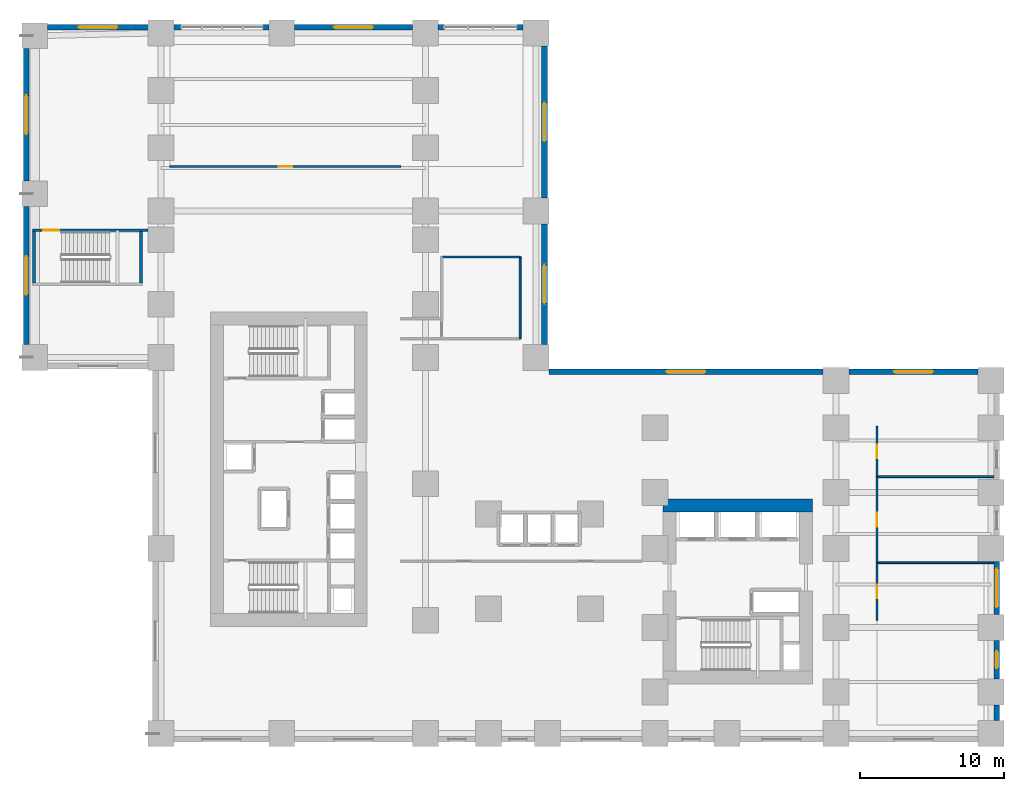
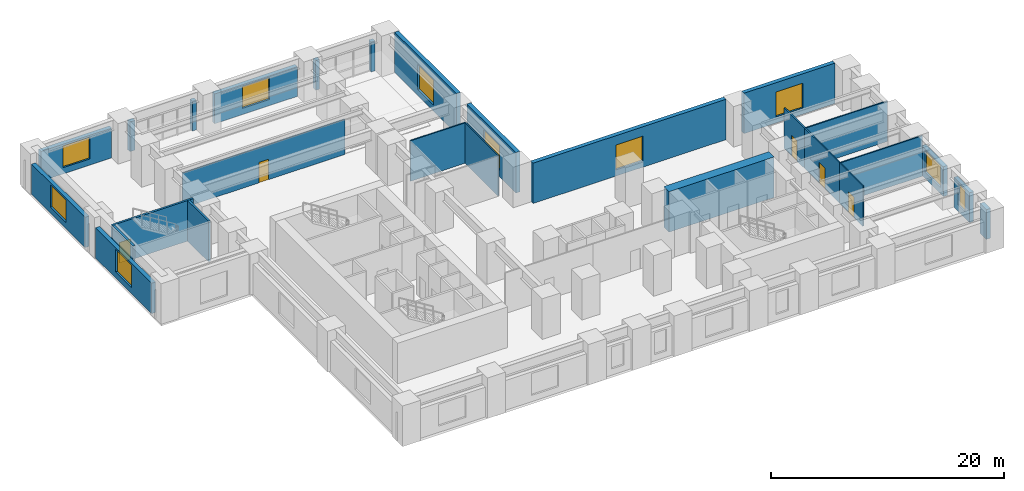
# One storey, part 7 of 11: 27 walls, 10 windows, 5 doors, 15 openings.
"""IFC4 building model written with IfcOpenShell, lengths in metres."""

from ifc_helpers import new_model, si_unit, direction, frame, frame_2d, origin, place, context, subcontext, project, spatial, rectangle, extrude, source, transform, mapped, material, layer, layer_set, type_object, element, fill, save


model = new_model("IFC4")

# Units and contexts
model_context = context("Model", 3, precision=1e-05, world=origin(), true_north=direction((0.0, 1.0)))
body_context = subcontext(model_context, "Body", "Model", "MODEL_VIEW")
ifc_project = project(units=[si_unit("LENGTHUNIT", "METRE"), si_unit("AREAUNIT", "SQUARE_METRE"), si_unit("VOLUMEUNIT", "CUBIC_METRE"), si_unit("PLANEANGLEUNIT", "RADIAN"), si_unit("MASSUNIT", "GRAM", prefix="KILO")], contexts=[model_context])

# Site, building, storey
site_placement = place(None, origin())
site = spatial("IfcSite", under=ifc_project, at=site_placement, CompositionType="ELEMENT")
building_placement = place(site_placement, origin())
building = spatial("IfcBuilding", under=site, at=building_placement, Name="Kharzan Plaza Tower", CompositionType="ELEMENT")
storey_placement = place(building_placement, frame((0.0, 0.0, 9.0)))
storey = spatial("IfcBuildingStorey", under=building, at=storey_placement, Name="L02", CompositionType="ELEMENT", Elevation=9.0)

# Wall, opening, door
ifc_material_1 = material(Name="Fire-Rated Gypsum Board Partition", Category="gypsum")
ifc_layer_1 = layer(ifc_material_1, 0.125)
ifc_layer_set_1 = layer_set([ifc_layer_1], Name="Fire-Rated Gypsum Board Partition")
wall_type_1 = type_object("IfcWallType", Name="WL-INT-PART-125", PredefinedType="PARTITIONING", material=ifc_layer_set_1)
wall_1_placement = place(storey_placement, frame((1.199951171875, 40.10009765625, 0.0), z_axis=(0.0, 0.0, 1.0), x_axis=(1.0, 0.0, 0.0)))
wall_1 = element("IfcWall", 1, at=wall_1_placement, inside=storey, type_object=wall_type_1, Name="L02 Interior Partition L02-W1", PredefinedType="PARTITIONING", context=body_context, shape_type="SweptSolid", body=[
    extrude(rectangle(XDim=16.10009765625, YDim=0.125, at=frame_2d((8.050048828125, 0.0))), origin(), (0.0, 0.0, 1.0), 3.68603515625),
])
opening_1_placement = place(wall_1_placement, frame((7.574951171875, 0.0, 0.0)))
opening_1 = element("IfcOpeningElement", 2, at=opening_1_placement, cuts=wall_1, Name="Opening OD1", PredefinedType="OPENING", context=body_context, shape_type="SweptSolid", body=[
    extrude(rectangle(XDim=0.949951171875, YDim=2.14990234375, at=frame_2d((0.47509765625, 1.074951171875))), frame((0.0, 0.072509765625, 0.0), z_axis=(0.0, -1.0, 0.0), x_axis=(1.0, 0.0, 0.0)), (0.0, 0.0, 1.0), 0.14501953125),
])
ifc_material_2 = material(Name="Acoustic Solid-Core Stained Oak", Category="timber")
door_type_1 = type_object("IfcDoorType", Name="DR-OFF-SINGLE", OperationType="NOTDEFINED", PredefinedType="DOOR", material=ifc_material_2)
shared_shape_1 = source(origin(), body_context, "Body", "SweptSolid", [
    extrude(rectangle(XDim=0.949951171875, YDim=2.14990234375, at=frame_2d((0.47509765625, 1.074951171875))), frame((0.0, 0.02490234375, 0.0), z_axis=(0.0, -1.0, 0.0), x_axis=(1.0, 0.0, 0.0)), (0.0, 0.0, 1.0), 0.050048828125),
])
door_1_placement = place(opening_1_placement, origin())
door_1 = element("IfcDoor", 3, at=door_1_placement, inside=storey, type_object=door_type_1, Name="L02 Auditorium Entrance Door", OperationType="SINGLE_SWING_RIGHT", OverallHeight=2.14990234375, OverallWidth=0.949951171875, PredefinedType="DOOR", context=body_context, shape_type="MappedRepresentation", body=[
    mapped(shared_shape_1, transform((0.0, 0.0, 0.0), x_axis=(1.0, 0.0, 0.0), y_axis=(0.0, 1.0, 0.0), z_axis=(0.0, 0.0, 1.0))),
])
fill(opening_1, door_1)

wall_2_placement = place(storey_placement, frame((50.449951171875, 8.5, 0.0), z_axis=(0.0, 0.0, 1.0), x_axis=(0.0, 1.0, 0.0)))
wall_2 = element("IfcWall", 4, at=wall_2_placement, inside=storey, type_object=wall_type_1, Name="L02 Interior Partition L02-W2A", PredefinedType="PARTITIONING", context=body_context, shape_type="SweptSolid", body=[
    extrude(rectangle(XDim=4.0, YDim=0.125, at=frame_2d((2.0, 0.0))), origin(), (0.0, 0.0, 1.0), 4.235107421875),
])
opening_2_placement = place(wall_2_placement, frame((1.52490234375, 0.0, 0.0)))
opening_2 = element("IfcOpeningElement", 5, at=opening_2_placement, cuts=wall_2, Name="Opening OD1", PredefinedType="OPENING", context=body_context, shape_type="SweptSolid", body=[
    extrude(rectangle(XDim=0.949951171875, YDim=2.14990234375, at=frame_2d((0.47509765625, 1.074951171875))), frame((0.0, 0.072509765625, 0.0), z_axis=(0.0, -1.0, 0.0), x_axis=(1.0, 0.0, 0.0)), (0.0, 0.0, 1.0), 0.14501953125),
])
door_2_placement = place(opening_2_placement, origin())
door_2 = element("IfcDoor", 6, at=door_2_placement, inside=storey, type_object=door_type_1, Name="L02 Briefing Room Door", OperationType="SINGLE_SWING_LEFT", OverallHeight=2.14990234375, OverallWidth=0.949951171875, PredefinedType="DOOR", context=body_context, shape_type="MappedRepresentation", body=[
    mapped(shared_shape_1, transform((0.0, 0.0, 0.0), x_axis=(1.0, 0.0, 0.0), y_axis=(0.0, 1.0, 0.0), z_axis=(0.0, 0.0, 1.0))),
])
fill(opening_2, door_2)

wall_3_placement = place(storey_placement, frame((50.449951171875, 12.5, 0.0), z_axis=(0.0, 0.0, 1.0), x_axis=(0.0, 1.0, 0.0)))
wall_3 = element("IfcWall", 7, at=wall_3_placement, inside=storey, type_object=wall_type_1, Name="L02 Interior Partition L02-W2B", PredefinedType="PARTITIONING", context=body_context, shape_type="SweptSolid", body=[
    extrude(rectangle(XDim=6.0, YDim=0.125, at=frame_2d((3.0, 0.0))), origin(), (0.0, 0.0, 1.0), 4.235107421875),
])
opening_3_placement = place(wall_3_placement, frame((2.52490234375, 0.0, 0.0)))
opening_3 = element("IfcOpeningElement", 8, at=opening_3_placement, cuts=wall_3, Name="Opening OD1", PredefinedType="OPENING", context=body_context, shape_type="SweptSolid", body=[
    extrude(rectangle(XDim=0.949951171875, YDim=2.14990234375, at=frame_2d((0.47509765625, 1.074951171875))), frame((0.0, 0.072509765625, 0.0), z_axis=(0.0, -1.0, 0.0), x_axis=(1.0, 0.0, 0.0)), (0.0, 0.0, 1.0), 0.14501953125),
])
door_3_placement = place(opening_3_placement, origin())
door_3 = element("IfcDoor", 9, at=door_3_placement, inside=storey, type_object=door_type_1, Name="L02 Press Room Door", OperationType="SINGLE_SWING_RIGHT", OverallHeight=2.14990234375, OverallWidth=0.949951171875, PredefinedType="DOOR", context=body_context, shape_type="MappedRepresentation", body=[
    mapped(shared_shape_1, transform((0.0, 0.0, 0.0), x_axis=(1.0, 0.0, 0.0), y_axis=(0.0, 1.0, 0.0), z_axis=(0.0, 0.0, 1.0))),
])
fill(opening_3, door_3)

wall_4_placement = place(storey_placement, frame((50.449951171875, 18.5, 0.0), z_axis=(0.0, 0.0, 1.0), x_axis=(0.0, 1.0, 0.0)))
wall_4 = element("IfcWall", 10, at=wall_4_placement, inside=storey, type_object=wall_type_1, Name="L02 Interior Partition L02-W2C", PredefinedType="PARTITIONING", context=body_context, shape_type="SweptSolid", body=[
    extrude(rectangle(XDim=3.5, YDim=0.125, at=frame_2d((1.75, 0.0))), origin(), (0.0, 0.0, 1.0), 4.235107421875),
])
opening_4_placement = place(wall_4_placement, frame((1.27490234375, 0.0, 0.0)))
opening_4 = element("IfcOpeningElement", 11, at=opening_4_placement, cuts=wall_4, Name="Opening OD1", PredefinedType="OPENING", context=body_context, shape_type="SweptSolid", body=[
    extrude(rectangle(XDim=0.949951171875, YDim=2.14990234375, at=frame_2d((0.47509765625, 1.074951171875))), frame((0.0, 0.072509765625, 0.0), z_axis=(0.0, -1.0, 0.0), x_axis=(1.0, 0.0, 0.0)), (0.0, 0.0, 1.0), 0.14501953125),
])
door_4_placement = place(opening_4_placement, origin())
door_4 = element("IfcDoor", 12, at=door_4_placement, inside=storey, type_object=door_type_1, Name="L02 Control Room Door", OperationType="SINGLE_SWING_LEFT", OverallHeight=2.14990234375, OverallWidth=0.949951171875, PredefinedType="DOOR", context=body_context, shape_type="MappedRepresentation", body=[
    mapped(shared_shape_1, transform((0.0, 0.0, 0.0), x_axis=(1.0, 0.0, 0.0), y_axis=(0.0, 1.0, 0.0), z_axis=(0.0, 0.0, 1.0))),
])
fill(opening_4, door_4)

# Wall, opening, window
ifc_material_3 = material(Name="Concrete C40/50", Category="concrete")
ifc_layer_2 = layer(ifc_material_3, 0.39990234375)
ifc_layer_set_2 = layer_set([ifc_layer_2], Name="Concrete C40/50")
wall_type_2 = type_object("IfcWallType", Name="WL-POD-MAS-400", PredefinedType="SOLIDWALL", material=ifc_layer_set_2)
wall_5_placement = place(storey_placement, frame((57.501953125, 25.800048828125, 0.0), z_axis=(0.0, 0.0, 1.0), x_axis=(-1.0, 0.0, 0.0)))
wall_5 = element("IfcWall", 13, at=wall_5_placement, inside=storey, type_object=wall_type_2, Name="L02 Masonry-Frame Exterior Wall 01", PredefinedType="SOLIDWALL", context=body_context, shape_type="SweptSolid", body=[
    extrude(rectangle(XDim=9.00390625, YDim=0.39990234375, at=frame_2d((4.501953125, 0.0))), origin(), (0.0, 0.0, 1.0), 4.235107421875),
])
opening_5_placement = place(wall_5_placement, frame((3.152099609375, 0.0, 0.64990234375)))
opening_5 = element("IfcOpeningElement", 14, at=opening_5_placement, cuts=wall_5, Name="Opening W4", PredefinedType="OPENING", context=body_context, shape_type="SweptSolid", body=[
    extrude(rectangle(XDim=2.699951171875, YDim=2.60009765625, at=frame_2d((1.35009765625, 1.300048828125))), frame((0.0, 0.2099609375, 0.0), z_axis=(0.0, -1.0, 0.0), x_axis=(1.0, 0.0, 0.0)), (0.0, 0.0, 1.0), 0.419921875),
])
ifc_material_4 = material(Name="Low-E Double Glazing", Category="glass")
window_type_1 = type_object("IfcWindowType", Name="WN-POD-2700x2600", PartitioningType="SINGLE_PANEL", PredefinedType="WINDOW", material=ifc_material_4)
shared_shape_2 = source(origin(), body_context, "Body", "SweptSolid", [
    extrude(rectangle(XDim=2.699951171875, YDim=2.60009765625, at=frame_2d((1.35009765625, 1.300048828125))), frame((0.0, 0.030029296875, 0.0), z_axis=(0.0, -1.0, 0.0), x_axis=(1.0, 0.0, 0.0)), (0.0, 0.0, 1.0), 0.06005859375),
])
window_1_placement = place(opening_5_placement, origin())
window_1 = element("IfcWindow", 15, at=window_1_placement, inside=storey, type_object=window_type_1, Name="L02 Recessed Solar-Control Window 01-1", OverallHeight=2.60009765625, OverallWidth=2.699951171875, PartitioningType="SINGLE_PANEL", PredefinedType="WINDOW", context=body_context, shape_type="MappedRepresentation", body=[
    mapped(shared_shape_2, transform((0.0, 0.0, 0.0), x_axis=(1.0, 0.0, 0.0), y_axis=(0.0, 1.0, 0.0), z_axis=(0.0, 0.0, 1.0))),
])
fill(opening_5, window_1)

wall_6_placement = place(storey_placement, frame((46.701904296875, 25.800048828125, 0.0), z_axis=(0.0, 0.0, 1.0), x_axis=(-1.0, 0.0, 0.0)))
wall_6 = element("IfcWall", 16, at=wall_6_placement, inside=storey, type_object=wall_type_2, Name="L02 Masonry-Frame Exterior Wall 02", PredefinedType="SOLIDWALL", context=body_context, shape_type="SweptSolid", body=[
    extrude(rectangle(XDim=19.10400390625, YDim=0.39990234375, at=frame_2d((9.552001953125, 0.0))), origin(), (0.0, 0.0, 1.0), 4.235107421875),
])
opening_6_placement = place(wall_6_placement, frame((8.201904296875, 0.0, 0.64990234375)))
opening_6 = element("IfcOpeningElement", 17, at=opening_6_placement, cuts=wall_6, Name="Opening W4", PredefinedType="OPENING", context=body_context, shape_type="SweptSolid", body=[
    extrude(rectangle(XDim=2.699951171875, YDim=2.60009765625, at=frame_2d((1.35009765625, 1.300048828125))), frame((0.0, 0.2099609375, 0.0), z_axis=(0.0, -1.0, 0.0), x_axis=(1.0, 0.0, 0.0)), (0.0, 0.0, 1.0), 0.419921875),
])
window_2_placement = place(opening_6_placement, origin())
window_2 = element("IfcWindow", 18, at=window_2_placement, inside=storey, type_object=window_type_1, Name="L02 Recessed Solar-Control Window 02-1", OverallHeight=2.60009765625, OverallWidth=2.699951171875, PartitioningType="SINGLE_PANEL", PredefinedType="WINDOW", context=body_context, shape_type="MappedRepresentation", body=[
    mapped(shared_shape_2, transform((0.0, 0.0, 0.0), x_axis=(1.0, 0.0, 0.0), y_axis=(0.0, 1.0, 0.0), z_axis=(0.0, 0.0, 1.0))),
])
fill(opening_6, window_2)

wall_7_placement = place(storey_placement, frame((27.300048828125, 27.697998046875, 0.0), z_axis=(0.0, 0.0, 1.0), x_axis=(0.0, 1.0, 0.0)))
wall_7 = element("IfcWall", 19, at=wall_7_placement, inside=storey, type_object=wall_type_2, Name="L02 Masonry-Frame Exterior Wall 03", PredefinedType="SOLIDWALL", context=body_context, shape_type="SweptSolid", body=[
    extrude(rectangle(XDim=8.404052734375, YDim=0.39990234375, at=frame_2d((4.2021484375, 0.0))), origin(), (0.0, 0.0, 1.0), 4.235107421875),
])
opening_7_placement = place(wall_7_placement, frame((2.85205078125, 0.0, 0.64990234375)))
opening_7 = element("IfcOpeningElement", 20, at=opening_7_placement, cuts=wall_7, Name="Opening W4", PredefinedType="OPENING", context=body_context, shape_type="SweptSolid", body=[
    extrude(rectangle(XDim=2.699951171875, YDim=2.60009765625, at=frame_2d((1.35009765625, 1.300048828125))), frame((0.0, 0.2099609375, 0.0), z_axis=(0.0, -1.0, 0.0), x_axis=(1.0, 0.0, 0.0)), (0.0, 0.0, 1.0), 0.419921875),
])
window_3_placement = place(opening_7_placement, origin())
window_3 = element("IfcWindow", 21, at=window_3_placement, inside=storey, type_object=window_type_1, Name="L02 Recessed Solar-Control Window 03-1", OverallHeight=2.60009765625, OverallWidth=2.699951171875, PartitioningType="SINGLE_PANEL", PredefinedType="WINDOW", context=body_context, shape_type="MappedRepresentation", body=[
    mapped(shared_shape_2, transform((0.0, 0.0, 0.0), x_axis=(1.0, 0.0, 0.0), y_axis=(0.0, 1.0, 0.0), z_axis=(0.0, 0.0, 1.0))),
])
fill(opening_7, window_3)

wall_8_placement = place(storey_placement, frame((27.300048828125, 37.89794921875, 0.0), z_axis=(0.0, 0.0, 1.0), x_axis=(0.0, 1.0, 0.0)))
wall_8 = element("IfcWall", 22, at=wall_8_placement, inside=storey, type_object=wall_type_2, Name="L02 Masonry-Frame Exterior Wall 04", PredefinedType="SOLIDWALL", context=body_context, shape_type="SweptSolid", body=[
    extrude(rectangle(XDim=10.60400390625, YDim=0.39990234375, at=frame_2d((5.302001953125, 0.0))), origin(), (0.0, 0.0, 1.0), 4.235107421875),
])
opening_8_placement = place(wall_8_placement, frame((3.951904296875, 0.0, 0.64990234375)))
opening_8 = element("IfcOpeningElement", 23, at=opening_8_placement, cuts=wall_8, Name="Opening W4", PredefinedType="OPENING", context=body_context, shape_type="SweptSolid", body=[
    extrude(rectangle(XDim=2.699951171875, YDim=2.60009765625, at=frame_2d((1.35009765625, 1.300048828125))), frame((0.0, 0.2099609375, 0.0), z_axis=(0.0, -1.0, 0.0), x_axis=(1.0, 0.0, 0.0)), (0.0, 0.0, 1.0), 0.419921875),
])
window_4_placement = place(opening_8_placement, origin())
window_4 = element("IfcWindow", 24, at=window_4_placement, inside=storey, type_object=window_type_1, Name="L02 Recessed Solar-Control Window 04-1", OverallHeight=2.60009765625, OverallWidth=2.699951171875, PartitioningType="SINGLE_PANEL", PredefinedType="WINDOW", context=body_context, shape_type="MappedRepresentation", body=[
    mapped(shared_shape_2, transform((0.0, 0.0, 0.0), x_axis=(1.0, 0.0, 0.0), y_axis=(0.0, 1.0, 0.0), z_axis=(0.0, 0.0, 1.0))),
])
fill(opening_8, window_4)

wall_9_placement = place(storey_placement, frame((18.10205078125, 49.800048828125, 0.0), z_axis=(0.0, 0.0, 1.0), x_axis=(-1.0, 0.0, 0.0)))
wall_9 = element("IfcWall", 25, at=wall_9_placement, inside=storey, type_object=wall_type_2, Name="L02 Masonry-Frame Exterior Wall 07", PredefinedType="SOLIDWALL", context=body_context, shape_type="SweptSolid", body=[
    extrude(rectangle(XDim=8.2041015625, YDim=0.39990234375, at=frame_2d((4.10205078125, 0.0))), origin(), (0.0, 0.0, 1.0), 3.116943359375),
])
opening_9_placement = place(wall_9_placement, frame((2.751953125, 0.0, 0.64990234375)))
opening_9 = element("IfcOpeningElement", 26, at=opening_9_placement, cuts=wall_9, Name="Opening W4", PredefinedType="OPENING", context=body_context, shape_type="SweptSolid", body=[
    extrude(rectangle(XDim=2.699951171875, YDim=2.287109375, at=frame_2d((1.35009765625, 1.1435546875))), frame((0.0, 0.2099609375, 0.0), z_axis=(0.0, -1.0, 0.0), x_axis=(1.0, 0.0, 0.0)), (0.0, 0.0, 1.0), 0.419921875),
])
shared_shape_3 = source(origin(), body_context, "Body", "SweptSolid", [
    extrude(rectangle(XDim=2.699951171875, YDim=2.287109375, at=frame_2d((1.35009765625, 1.1435546875))), frame((0.0, 0.030029296875, 0.0), z_axis=(0.0, -1.0, 0.0), x_axis=(1.0, 0.0, 0.0)), (0.0, 0.0, 1.0), 0.06005859375),
])
window_5_placement = place(opening_9_placement, origin())
window_5 = element("IfcWindow", 27, at=window_5_placement, inside=storey, type_object=window_type_1, Name="L02 Recessed Solar-Control Window 07-1", OverallHeight=2.287109375, OverallWidth=2.699951171875, PartitioningType="SINGLE_PANEL", PredefinedType="WINDOW", context=body_context, shape_type="MappedRepresentation", body=[
    mapped(shared_shape_3, transform((0.0, 0.0, 0.0), x_axis=(1.0, 0.0, 0.0), y_axis=(0.0, 1.0, 0.0), z_axis=(0.0, 0.0, 1.0))),
])
fill(opening_9, window_5)

wall_10_placement = place(storey_placement, frame((-0.298095703125, 49.800048828125, 0.0), z_axis=(0.0, 0.0, 1.0), x_axis=(-1.0, 0.0, 0.0)))
wall_10 = element("IfcWall", 28, at=wall_10_placement, inside=storey, type_object=wall_type_2, Name="L02 Masonry-Frame Exterior Wall 10", PredefinedType="SOLIDWALL", context=body_context, shape_type="SweptSolid", body=[
    extrude(rectangle(XDim=7.00390625, YDim=0.39990234375, at=frame_2d((3.501953125, 0.0))), origin(), (0.0, 0.0, 1.0), 3.116943359375),
])
opening_10_placement = place(wall_10_placement, frame((2.152099609375, 0.0, 0.64990234375)))
opening_10 = element("IfcOpeningElement", 29, at=opening_10_placement, cuts=wall_10, Name="Opening W4", PredefinedType="OPENING", context=body_context, shape_type="SweptSolid", body=[
    extrude(rectangle(XDim=2.699951171875, YDim=2.287109375, at=frame_2d((1.35009765625, 1.1435546875))), frame((0.0, 0.2099609375, 0.0), z_axis=(0.0, -1.0, 0.0), x_axis=(1.0, 0.0, 0.0)), (0.0, 0.0, 1.0), 0.419921875),
])
window_6_placement = place(opening_10_placement, origin())
window_6 = element("IfcWindow", 30, at=window_6_placement, inside=storey, type_object=window_type_1, Name="L02 Recessed Solar-Control Window 10-1", OverallHeight=2.287109375, OverallWidth=2.699951171875, PartitioningType="SINGLE_PANEL", PredefinedType="WINDOW", context=body_context, shape_type="MappedRepresentation", body=[
    mapped(shared_shape_3, transform((0.0, 0.0, 0.0), x_axis=(1.0, 0.0, 0.0), y_axis=(0.0, 1.0, 0.0), z_axis=(0.0, 0.0, 1.0))),
])
fill(opening_10, window_6)

wall_11_placement = place(storey_placement, frame((-8.800048828125, 48.302001953125, 0.0), z_axis=(0.0, 0.0, 1.0), x_axis=(0.0, -1.0, 0.0)))
wall_11 = element("IfcWall", 31, at=wall_11_placement, inside=storey, type_object=wall_type_2, Name="L02 Masonry-Frame Exterior Wall 11", PredefinedType="SOLIDWALL", context=body_context, shape_type="SweptSolid", body=[
    extrude(rectangle(XDim=9.2041015625, YDim=0.39990234375, at=frame_2d((4.60205078125, 0.0))), origin(), (0.0, 0.0, 1.0), 3.18505859375),
])
opening_11_placement = place(wall_11_placement, frame((3.251953125, 0.0, 0.64990234375)))
opening_11 = element("IfcOpeningElement", 32, at=opening_11_placement, cuts=wall_11, Name="Opening W4", PredefinedType="OPENING", context=body_context, shape_type="SweptSolid", body=[
    extrude(rectangle(XDim=2.699951171875, YDim=2.35498046875, at=frame_2d((1.35009765625, 1.177490234375))), frame((0.0, 0.2099609375, 0.0), z_axis=(0.0, -1.0, 0.0), x_axis=(1.0, 0.0, 0.0)), (0.0, 0.0, 1.0), 0.419921875),
])
shared_shape_4 = source(origin(), body_context, "Body", "SweptSolid", [
    extrude(rectangle(XDim=2.699951171875, YDim=2.35498046875, at=frame_2d((1.35009765625, 1.177490234375))), frame((0.0, 0.030029296875, 0.0), z_axis=(0.0, -1.0, 0.0), x_axis=(1.0, 0.0, 0.0)), (0.0, 0.0, 1.0), 0.06005859375),
])
window_7_placement = place(opening_11_placement, origin())
window_7 = element("IfcWindow", 33, at=window_7_placement, inside=storey, type_object=window_type_1, Name="L02 Recessed Solar-Control Window 11-1", OverallHeight=2.35498046875, OverallWidth=2.699951171875, PartitioningType="SINGLE_PANEL", PredefinedType="WINDOW", context=body_context, shape_type="MappedRepresentation", body=[
    mapped(shared_shape_4, transform((0.0, 0.0, 0.0), x_axis=(1.0, 0.0, 0.0), y_axis=(0.0, 1.0, 0.0), z_axis=(0.0, 0.0, 1.0))),
])
fill(opening_11, window_7)

wall_12_placement = place(storey_placement, frame((-8.800048828125, 37.302001953125, 0.0), z_axis=(0.0, 0.0, 1.0), x_axis=(0.0, -1.0, 0.0)))
wall_12 = element("IfcWall", 34, at=wall_12_placement, inside=storey, type_object=wall_type_2, Name="L02 Masonry-Frame Exterior Wall 12", PredefinedType="SOLIDWALL", context=body_context, shape_type="SweptSolid", body=[
    extrude(rectangle(XDim=9.60400390625, YDim=0.39990234375, at=frame_2d((4.802001953125, 0.0))), origin(), (0.0, 0.0, 1.0), 3.18505859375),
])
opening_12_placement = place(wall_12_placement, frame((3.451904296875, 0.0, 0.64990234375)))
opening_12 = element("IfcOpeningElement", 35, at=opening_12_placement, cuts=wall_12, Name="Opening W4", PredefinedType="OPENING", context=body_context, shape_type="SweptSolid", body=[
    extrude(rectangle(XDim=2.699951171875, YDim=2.35498046875, at=frame_2d((1.35009765625, 1.177490234375))), frame((0.0, 0.2099609375, 0.0), z_axis=(0.0, -1.0, 0.0), x_axis=(1.0, 0.0, 0.0)), (0.0, 0.0, 1.0), 0.419921875),
])
window_8_placement = place(opening_12_placement, origin())
window_8 = element("IfcWindow", 36, at=window_8_placement, inside=storey, type_object=window_type_1, Name="L02 Recessed Solar-Control Window 12-1", OverallHeight=2.35498046875, OverallWidth=2.699951171875, PartitioningType="SINGLE_PANEL", PredefinedType="WINDOW", context=body_context, shape_type="MappedRepresentation", body=[
    mapped(shared_shape_4, transform((0.0, 0.0, 0.0), x_axis=(1.0, 0.0, 0.0), y_axis=(0.0, 1.0, 0.0), z_axis=(0.0, 0.0, 1.0))),
])
fill(opening_12, window_8)

wall_13_placement = place(storey_placement, frame((58.800048828125, 4.39794921875, 0.0), z_axis=(0.0, 0.0, 1.0), x_axis=(0.0, 1.0, 0.0)))
wall_13 = element("IfcWall", 37, at=wall_13_placement, inside=storey, type_object=wall_type_2, Name="L02 Masonry-Frame Exterior Wall 25", PredefinedType="SOLIDWALL", context=body_context, shape_type="SweptSolid", body=[
    extrude(rectangle(XDim=2.7041015625, YDim=0.39990234375, at=frame_2d((1.35205078125, 0.0))), origin(), (0.0, 0.0, 1.0), 3.116943359375),
])
opening_13_placement = place(wall_13_placement, frame((0.751953125, 0.0, 0.64990234375)))
opening_13 = element("IfcOpeningElement", 38, at=opening_13_placement, cuts=wall_13, Name="Opening W3", PredefinedType="OPENING", context=body_context, shape_type="SweptSolid", body=[
    extrude(rectangle(XDim=1.199951171875, YDim=2.287109375, at=frame_2d((0.60009765625, 1.1435546875))), frame((0.0, 0.2099609375, 0.0), z_axis=(0.0, -1.0, 0.0), x_axis=(1.0, 0.0, 0.0)), (0.0, 0.0, 1.0), 0.419921875),
])
window_type_2 = type_object("IfcWindowType", Name="WN-REC-1200x2100", PartitioningType="SINGLE_PANEL", PredefinedType="WINDOW", material=ifc_material_4)
shared_shape_5 = source(origin(), body_context, "Body", "SweptSolid", [
    extrude(rectangle(XDim=1.199951171875, YDim=2.287109375, at=frame_2d((0.60009765625, 1.1435546875))), frame((0.0, 0.030029296875, 0.0), z_axis=(0.0, -1.0, 0.0), x_axis=(1.0, 0.0, 0.0)), (0.0, 0.0, 1.0), 0.06005859375),
])
window_9_placement = place(opening_13_placement, origin())
window_9 = element("IfcWindow", 39, at=window_9_placement, inside=storey, type_object=window_type_2, Name="L02 Recessed Solar-Control Window 25-1", OverallHeight=2.287109375, OverallWidth=1.199951171875, PartitioningType="SINGLE_PANEL", PredefinedType="WINDOW", context=body_context, shape_type="MappedRepresentation", body=[
    mapped(shared_shape_5, transform((0.0, 0.0, 0.0), x_axis=(1.0, 0.0, 0.0), y_axis=(0.0, 1.0, 0.0), z_axis=(0.0, 0.0, 1.0))),
])
fill(opening_13, window_9)

wall_14_placement = place(storey_placement, frame((58.800048828125, 8.89794921875, 0.0), z_axis=(0.0, 0.0, 1.0), x_axis=(0.0, 1.0, 0.0)))
wall_14 = element("IfcWall", 40, at=wall_14_placement, inside=storey, type_object=wall_type_2, Name="L02 Masonry-Frame Exterior Wall 26", PredefinedType="SOLIDWALL", context=body_context, shape_type="SweptSolid", body=[
    extrude(rectangle(XDim=3.7041015625, YDim=0.39990234375, at=frame_2d((1.85205078125, 0.0))), origin(), (0.0, 0.0, 1.0), 3.116943359375),
])
opening_14_placement = place(wall_14_placement, frame((0.486083984375, 0.0, 0.64990234375)))
opening_14 = element("IfcOpeningElement", 41, at=opening_14_placement, cuts=wall_14, Name="Opening W4", PredefinedType="OPENING", context=body_context, shape_type="SweptSolid", body=[
    extrude(rectangle(XDim=2.699951171875, YDim=2.287109375, at=frame_2d((1.35009765625, 1.1435546875))), frame((0.0, 0.2099609375, 0.0), z_axis=(0.0, -1.0, 0.0), x_axis=(1.0, 0.0, 0.0)), (0.0, 0.0, 1.0), 0.419921875),
])
window_10_placement = place(opening_14_placement, origin())
window_10 = element("IfcWindow", 42, at=window_10_placement, inside=storey, type_object=window_type_1, Name="L02 Recessed Solar-Control Window 26-1", OverallHeight=2.287109375, OverallWidth=2.699951171875, PartitioningType="SINGLE_PANEL", PredefinedType="WINDOW", context=body_context, shape_type="MappedRepresentation", body=[
    mapped(shared_shape_3, transform((0.0, 0.0, 0.0), x_axis=(1.0, 0.0, 0.0), y_axis=(0.0, 1.0, 0.0), z_axis=(0.0, 0.0, 1.0))),
])
fill(opening_14, window_10)

# Wall, opening, door
ifc_material_5 = material(Name="Concrete C50/60", Category="concrete")
ifc_layer_3 = layer(ifc_material_5, 0.199951171875)
ifc_layer_set_3 = layer_set([ifc_layer_3], Name="Concrete C50/60")
wall_type_3 = type_object("IfcWallType", Name="WL-SHAFT-RC200", PredefinedType="SHEAR", material=ifc_layer_set_3)
wall_15_placement = place(storey_placement, frame((-8.35009765625, 35.655029296875, 0.0), z_axis=(0.0, 0.0, 1.0), x_axis=(1.0, 0.0, 0.0)))
wall_15 = element("IfcWall", 43, at=wall_15_placement, inside=storey, type_object=wall_type_3, Name="L02 Stair ST-4 North RC Shaft Wall", PredefinedType="SHEAR", context=body_context, shape_type="SweptSolid", body=[
    extrude(rectangle(XDim=8.050048828125, YDim=0.199951171875, at=frame_2d((4.02490234375, 0.0))), origin(), (0.0, 0.0, 1.0), 4.25),
])
opening_15_placement = place(wall_15_placement, frame((0.75, 0.0, 0.0)))
opening_15 = element("IfcOpeningElement", 44, at=opening_15_placement, cuts=wall_15, Name="Opening SD1", PredefinedType="OPENING", context=body_context, shape_type="SweptSolid", body=[
    extrude(rectangle(XDim=1.10009765625, YDim=2.14990234375, at=frame_2d((0.550048828125, 1.074951171875))), frame((0.0, 0.10986328125, 0.0), z_axis=(0.0, -1.0, 0.0), x_axis=(1.0, 0.0, 0.0)), (0.0, 0.0, 1.0), 0.219970703125),
])
ifc_material_6 = material(Name="Fire-Rated Hollow Galvanized Steel", Category="steel")
door_type_2 = type_object("IfcDoorType", Name="DR-STAIR-FD120", OperationType="NOTDEFINED", PredefinedType="DOOR", material=ifc_material_6)
shared_shape_6 = source(origin(), body_context, "Body", "SweptSolid", [
    extrude(rectangle(XDim=1.10009765625, YDim=2.14990234375, at=frame_2d((0.550048828125, 1.074951171875))), frame((0.0, 0.02490234375, 0.0), z_axis=(0.0, -1.0, 0.0), x_axis=(1.0, 0.0, 0.0)), (0.0, 0.0, 1.0), 0.050048828125),
])
door_5_placement = place(opening_15_placement, origin())
door_5 = element("IfcDoor", 45, at=door_5_placement, inside=storey, type_object=door_type_2, Name="L02 Podium Stair ST-4 Fire Exit Door", OperationType="SINGLE_SWING_RIGHT", OverallHeight=2.14990234375, OverallWidth=1.10009765625, PredefinedType="DOOR", context=body_context, shape_type="MappedRepresentation", body=[
    mapped(shared_shape_6, transform((0.0, 0.0, 0.0), x_axis=(1.0, 0.0, 0.0), y_axis=(0.0, 1.0, 0.0), z_axis=(0.0, 0.0, 1.0))),
])
fill(opening_15, door_5)

# Walls
ifc_material_7 = material(Name="Concrete C60/75", Category="concrete")
ifc_layer_4 = layer(ifc_material_7, 0.89990234375)
ifc_layer_set_4 = layer_set([ifc_layer_4], Name="Concrete C60/75")
wall_type_4 = type_object("IfcWallType", Name="WL-CORE-900", PredefinedType="SHEAR", material=ifc_layer_set_4)
shared_shape_7 = source(origin(), body_context, "Body", "SweptSolid", [
    extrude(rectangle(XDim=10.39990234375, YDim=0.89990234375, at=frame_2d((5.199951171875, 0.0))), origin(), (0.0, 0.0, 1.0), 4.25),
])
wall_16_placement = place(storey_placement, frame((35.550048828125, 16.5, 0.0), z_axis=(0.0, 0.0, 1.0), x_axis=(1.0, 0.0, 0.0)))
element("IfcWall", 46, at=wall_16_placement, inside=storey, type_object=wall_type_4, Name="L02 CORE-B north RC shear wall", PredefinedType="SHEAR", context=body_context, shape_type="MappedRepresentation", body=[
    mapped(shared_shape_7, transform((0.0, 0.0, 0.0), x_axis=(1.0, 0.0, 0.0), y_axis=(0.0, 1.0, 0.0), z_axis=(0.0, 0.0, 1.0))),
])
shared_shape_8 = source(origin(), body_context, "Body", "SweptSolid", [
    extrude(rectangle(XDim=5.699951171875, YDim=0.125, at=frame_2d((2.85009765625, 0.0))), origin(), (0.0, 0.0, 1.0), 4.235107421875),
])
wall_17_placement = place(storey_placement, frame((25.60009765625, 28.10009765625, 0.0), z_axis=(0.0, 0.0, 1.0), x_axis=(0.0, 1.0, 0.0)))
element("IfcWall", 47, at=wall_17_placement, inside=storey, type_object=wall_type_1, Name="L02 Interior Partition L02-WCPE", PredefinedType="PARTITIONING", context=body_context, shape_type="MappedRepresentation", body=[
    mapped(shared_shape_8, transform((0.0, 0.0, 0.0), x_axis=(1.0, 0.0, 0.0), y_axis=(0.0, 1.0, 0.0), z_axis=(0.0, 0.0, 1.0))),
])
shared_shape_9 = source(origin(), body_context, "Body", "SweptSolid", [
    extrude(rectangle(XDim=5.4501953125, YDim=0.125, at=frame_2d((2.72509765625, 0.0))), origin(), (0.0, 0.0, 1.0), 4.235107421875),
])
wall_18_placement = place(storey_placement, frame((20.14990234375, 33.800048828125, 0.0), z_axis=(0.0, 0.0, 1.0), x_axis=(1.0, 0.0, 0.0)))
element("IfcWall", 48, at=wall_18_placement, inside=storey, type_object=wall_type_1, Name="L02 Interior Partition L02-WCPN2", PredefinedType="PARTITIONING", context=body_context, shape_type="MappedRepresentation", body=[
    mapped(shared_shape_9, transform((0.0, 0.0, 0.0), x_axis=(1.0, 0.0, 0.0), y_axis=(0.0, 1.0, 0.0), z_axis=(0.0, 0.0, 1.0))),
])
shared_shape_10 = source(origin(), body_context, "Body", "SweptSolid", [
    extrude(rectangle(XDim=3.559814453125, YDim=0.199951171875, at=frame_2d((1.77978515625, 0.0))), origin(), (0.0, 0.0, 1.0), 4.25),
])
for number, where, z_axis, x_axis, name in (
    (49, (-0.794921875, 31.9951171875, 0.0), (0.0, 0.0, 1.0), (0.0, 1.0, 0.0), "L02 Stair ST-4 East RC Shaft Wall"),
    (50, (-8.25, 31.9951171875, 0.0), (0.0, 0.0, 1.0), (0.0, 1.0, 0.0), "L02 Stair ST-4 West RC Shaft Wall"),
):
    element("IfcWall", number, at=place(storey_placement, frame(where, z_axis=z_axis, x_axis=x_axis)), inside=storey, type_object=wall_type_3, Name=name, PredefinedType="SHEAR", context=body_context, shape_type="MappedRepresentation", body=[
        mapped(shared_shape_10, transform((0.0, 0.0, 0.0), x_axis=(1.0, 0.0, 0.0), y_axis=(0.0, 1.0, 0.0), z_axis=(0.0, 0.0, 1.0))),
    ])
shared_shape_11 = source(origin(), body_context, "Body", "SweptSolid", [
    extrude(rectangle(XDim=0.402099609375, YDim=0.39990234375, at=frame_2d((0.201171875, 0.0))), origin(), (0.0, 0.0, 1.0), 3.116943359375),
])
for number, where, z_axis, x_axis, name in (
    (51, (25.802001953125, 49.800048828125, 0.0), (0.0, 0.0, 1.0), (-1.0, 0.0, 0.0), "L02 Masonry-Frame Exterior Wall 05"),
    (52, (20.300048828125, 49.800048828125, 0.0), (0.0, 0.0, 1.0), (-1.0, 0.0, 0.0), "L02 Masonry-Frame Exterior Wall 06"),
    (53, (8.10205078125, 49.800048828125, 0.0), (0.0, 0.0, 1.0), (-1.0, 0.0, 0.0), "L02 Masonry-Frame Exterior Wall 08"),
):
    element("IfcWall", number, at=place(storey_placement, frame(where, z_axis=z_axis, x_axis=x_axis)), inside=storey, type_object=wall_type_2, Name=name, PredefinedType="SOLIDWALL", context=body_context, shape_type="MappedRepresentation", body=[
        mapped(shared_shape_11, transform((0.0, 0.0, 0.0), x_axis=(1.0, 0.0, 0.0), y_axis=(0.0, 1.0, 0.0), z_axis=(0.0, 0.0, 1.0))),
    ])
shared_shape_12 = source(origin(), body_context, "Body", "SweptSolid", [
    extrude(rectangle(XDim=0.501953125, YDim=0.39990234375, at=frame_2d((0.2509765625, 0.0))), origin(), (0.0, 0.0, 1.0), 3.116943359375),
])
wall_19_placement = place(storey_placement, frame((2.0, 49.800048828125, 0.0), z_axis=(0.0, 0.0, 1.0), x_axis=(-1.0, 0.0, 0.0)))
element("IfcWall", 54, at=wall_19_placement, inside=storey, type_object=wall_type_2, Name="L02 Masonry-Frame Exterior Wall 09", PredefinedType="SOLIDWALL", context=body_context, shape_type="MappedRepresentation", body=[
    mapped(shared_shape_12, transform((0.0, 0.0, 0.0), x_axis=(1.0, 0.0, 0.0), y_axis=(0.0, 1.0, 0.0), z_axis=(0.0, 0.0, 1.0))),
])
shared_shape_13 = source(origin(), body_context, "Body", "SweptSolid", [
    extrude(rectangle(XDim=1.10400390625, YDim=0.39990234375, at=frame_2d((0.552001953125, 0.0))), origin(), (0.0, 0.0, 1.0), 3.116943359375),
])
wall_20_placement = place(storey_placement, frame((58.800048828125, 1.498046875, 0.0), z_axis=(0.0, 0.0, 1.0), x_axis=(0.0, 1.0, 0.0)))
element("IfcWall", 55, at=wall_20_placement, inside=storey, type_object=wall_type_2, Name="L02 Masonry-Frame Exterior Wall 24", PredefinedType="SOLIDWALL", context=body_context, shape_type="MappedRepresentation", body=[
    mapped(shared_shape_13, transform((0.0, 0.0, 0.0), x_axis=(1.0, 0.0, 0.0), y_axis=(0.0, 1.0, 0.0), z_axis=(0.0, 0.0, 1.0))),
])
shared_shape_14 = source(origin(), body_context, "Body", "SweptSolid", [
    extrude(rectangle(XDim=8.14794921875, YDim=0.125, at=frame_2d((4.073974609375, 0.0))), origin(), (0.0, 0.0, 1.0), 4.235107421875),
])
for number, where, z_axis, x_axis, name in (
    (56, (50.449951171875, 12.5, 0.0), (0.0, 0.0, 1.0), (1.0, 0.0, 0.0), "L02 Interior Partition L02-WM1"),
    (57, (50.449951171875, 18.5, 0.0), (0.0, 0.0, 1.0), (1.0, 0.0, 0.0), "L02 Interior Partition L02-WM2"),
):
    element("IfcWall", number, at=place(storey_placement, frame(where, z_axis=z_axis, x_axis=x_axis)), inside=storey, type_object=wall_type_1, Name=name, PredefinedType="PARTITIONING", context=body_context, shape_type="MappedRepresentation", body=[
        mapped(shared_shape_14, transform((0.0, 0.0, 0.0), x_axis=(1.0, 0.0, 0.0), y_axis=(0.0, 1.0, 0.0), z_axis=(0.0, 0.0, 1.0))),
    ])

save(model, "model.ifc")
